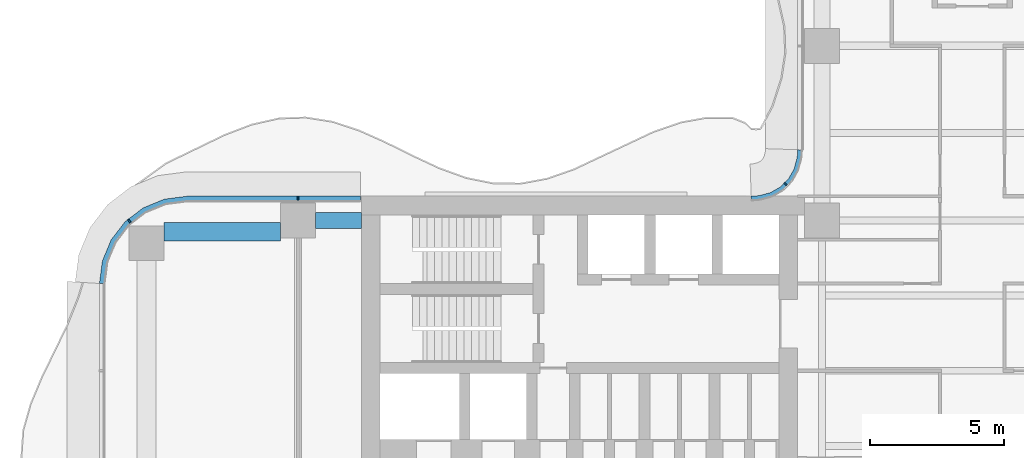
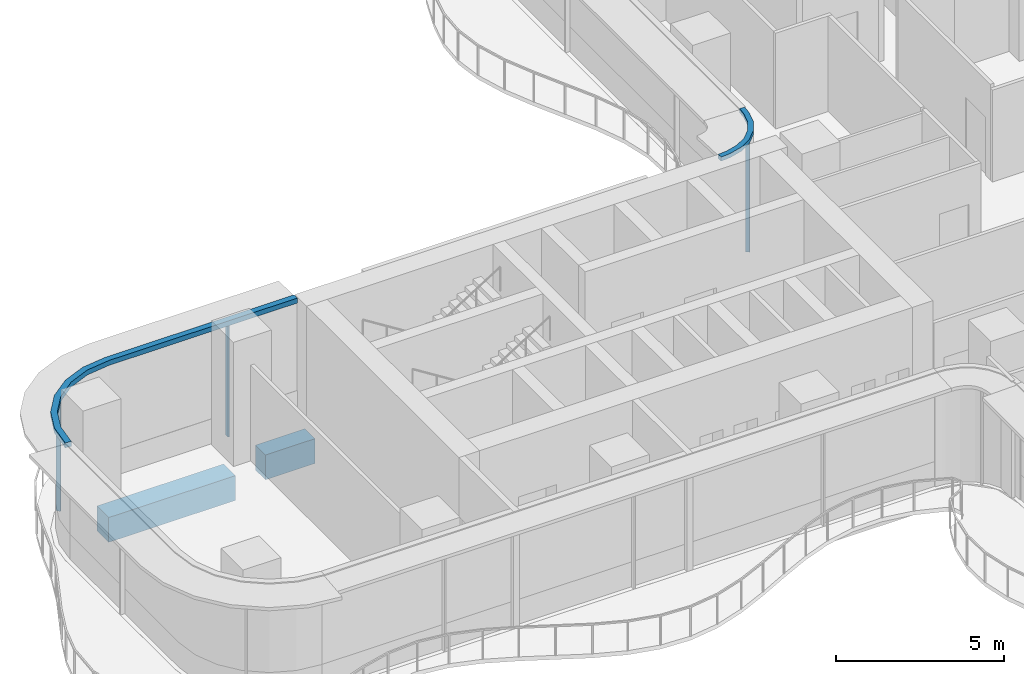
# One storey, part 8 of 21: 5 members, 2 beams, 2 elements without a shape of their own.
"""IFC4 building model written with IfcOpenShell, lengths in metres."""

from ifc_helpers import new_model, si_unit, direction, frame, origin, origin_2d, place, context, subcontext, project, spatial, polyline, rectangle, outline, extrude, source, transform, mapped, material, layer, layer_set, material_profile, profile_set, type_object, element, aggregate, save


model = new_model("IFC4")

# Units and contexts
model_context = context("Model", 3, precision=1e-05, world=origin(), true_north=direction((0.0, 1.0)))
body_context = subcontext(model_context, "Body", "Model", "MODEL_VIEW")
ifc_project = project(units=[si_unit("LENGTHUNIT", "METRE"), si_unit("AREAUNIT", "SQUARE_METRE"), si_unit("VOLUMEUNIT", "CUBIC_METRE"), si_unit("PLANEANGLEUNIT", "RADIAN"), si_unit("MASSUNIT", "GRAM", prefix="KILO")], contexts=[model_context])

# Site, building, storey
site_placement = place(None, origin())
site = spatial("IfcSite", under=ifc_project, at=site_placement, CompositionType="ELEMENT")
building_placement = place(site_placement, origin())
building = spatial("IfcBuilding", under=site, at=building_placement, Name="Trellis Farm Tower", CompositionType="ELEMENT")
storey_placement = place(building_placement, frame((0.0, 0.0, 115.5)))
storey = spatial("IfcBuildingStorey", under=building, at=storey_placement, Name="L24", CompositionType="ELEMENT", Elevation=115.5)

# Beams
ifc_material_1 = material(Name="Concrete C60/75", Category="concrete")
ifc_material_profile_1 = material_profile(ifc_material_1, rectangle(XDim=0.60009765625, YDim=0.89990234375, at=origin_2d()), Name="RC spandrel beam 600x900 C60/75")
ifc_profile_set_1 = profile_set([ifc_material_profile_1], Name="Concrete C60/75")
beam_type_1 = type_object("IfcBeamType", Name="RC spandrel beam 600x900 C60/75", PredefinedType="SPANDREL", material=ifc_profile_set_1)
shared_shape_1 = source(origin(), body_context, "Body", "SweptSolid", [
    extrude(rectangle(XDim=0.60009765625, YDim=0.89990234375, at=origin_2d()), origin(), (0.0, 0.0, 1.0), 1.699951171875),
])
beam_1_placement = place(storey_placement, frame((-24.449951171875, 5.60009765625, -0.699951171875), z_axis=(1.0, 0.0, 0.0), x_axis=(0.0, 1.0, 0.0)))
element("IfcBeam", 1, at=beam_1_placement, inside=storey, type_object=beam_type_1, Name="Girder", PredefinedType="SPANDREL", context=body_context, shape_type="MappedRepresentation", body=[
    mapped(shared_shape_1, transform((0.0, 0.0, 0.0))),
])
ifc_material_profile_2 = material_profile(ifc_material_1, rectangle(XDim=0.699951171875, YDim=0.89990234375, at=origin_2d()), Name="RC spandrel beam 700x900 C60/75")
ifc_profile_set_2 = profile_set([ifc_material_profile_2], Name="Concrete C60/75")
beam_type_2 = type_object("IfcBeamType", Name="RC spandrel beam 700x900 C60/75", PredefinedType="SPANDREL", material=ifc_profile_set_2)
shared_shape_2 = source(origin(), body_context, "Body", "SweptSolid", [
    extrude(rectangle(XDim=0.699951171875, YDim=0.89990234375, at=origin_2d()), origin(), (0.0, 0.0, 1.0), 4.35009765625),
])
beam_2_placement = place(storey_placement, frame((-30.10009765625, 5.175048828125, -0.699951171875), z_axis=(1.0, 0.0, 0.0), x_axis=(0.0, 1.0, 0.0)))
element("IfcBeam", 2, at=beam_2_placement, inside=storey, type_object=beam_type_2, Name="Girder", PredefinedType="SPANDREL", context=body_context, shape_type="MappedRepresentation", body=[
    mapped(shared_shape_2, transform((0.0, 0.0, 0.0))),
])

# Curtain wall, members
ifc_material_2 = material(Name="Aluminium and glass curtain wall", Category="aluminium")
ifc_layer_1 = layer(ifc_material_2, 0.18994140625)
ifc_layer_set_1 = layer_set([ifc_layer_1], Name="RIBBON CURTAIN WALL CW1")
curtain_wall_type_1 = type_object("IfcCurtainWallType", Name="RIBBON CURTAIN WALL CW1", PredefinedType="NOTDEFINED", material=ifc_layer_set_1)
placement = place(storey_placement, origin())
curtain_wall_1 = element("IfcCurtainWall", 3, at=placement, inside=storey, type_object=curtain_wall_type_1, Name="CW1 012", PredefinedType="NOTDEFINED")
ifc_material_3 = material(Name="Aluminium extrusion 6063-T6", Category="aluminium")
ifc_material_profile_3 = material_profile(ifc_material_3, rectangle(XDim=0.06005859375, YDim=0.14990234375, at=origin_2d()), Name="MULLION 60x150")
ifc_profile_set_3 = profile_set([ifc_material_profile_3], Name="Aluminium extrusion 6063-T6")
member_type_1 = type_object("IfcMemberType", Name="CW1 MULLION 60x150", PredefinedType="MULLION", material=ifc_profile_set_3)
shared_shape_3 = source(origin(), body_context, "Body", "SweptSolid", [
    extrude(rectangle(XDim=0.06005859375, YDim=0.14990234375, at=origin_2d()), origin(), (0.0, 0.0, 1.0), 4.070068359375),
])
member_1_placement = place(storey_placement, frame((-25.10009765625, 6.425048828125, 0.0), z_axis=(0.0, 0.0, 1.0), x_axis=(-1.0, 0.0, 0.0)))
member_1 = element("IfcMember", 4, at=member_1_placement, type_object=member_type_1, Name="MU1 012-01", PredefinedType="MULLION", context=body_context, shape_type="MappedRepresentation", body=[
    mapped(shared_shape_3, transform((0.0, 0.0, 0.0))),
])
member_2_placement = place(storey_placement, frame((-31.385498046875, 5.578369140625, 0.0), z_axis=(0.0, 0.0, 1.0), x_axis=(-0.793353340291, -0.608761429009, 0.0)))
member_2 = element("IfcMember", 5, at=member_2_placement, type_object=member_type_1, Name="MU1 012-02", PredefinedType="MULLION", context=body_context, shape_type="MappedRepresentation", body=[
    mapped(shared_shape_3, transform((0.0, 0.0, 0.0))),
])

ifc_layer_2 = layer(ifc_material_2, 0.166015625)
ifc_layer_set_2 = layer_set([ifc_layer_2], Name="WINTER GARDEN CURTAIN WALL CW3")
curtain_wall_type_2 = type_object("IfcCurtainWallType", Name="WINTER GARDEN CURTAIN WALL CW3", PredefinedType="NOTDEFINED", material=ifc_layer_set_2)
curtain_wall_2 = element("IfcCurtainWall", 6, at=placement, inside=storey, type_object=curtain_wall_type_2, Name="CW3 004", PredefinedType="NOTDEFINED")
ifc_material_profile_4 = material_profile(ifc_material_3, rectangle(XDim=0.050048828125, YDim=0.1201171875, at=origin_2d()), Name="MULLION 50x120")
ifc_profile_set_4 = profile_set([ifc_material_profile_4], Name="Aluminium extrusion 6063-T6")
member_type_2 = type_object("IfcMemberType", Name="CW3 MULLION 50x120", PredefinedType="MULLION", material=ifc_profile_set_4)
shared_shape_4 = source(origin(), body_context, "Body", "SweptSolid", [
    extrude(rectangle(XDim=0.050048828125, YDim=0.1201171875, at=origin_2d()), origin(), (0.0, 0.0, 1.0), 4.10009765625),
])
member_3_placement = place(storey_placement, frame((-6.953125, 6.953125, 0.0), z_axis=(0.0, 0.0, 1.0), x_axis=(-0.707106781187, -0.707106781187, 0.0)))
member_3 = element("IfcMember", 7, at=member_3_placement, type_object=member_type_2, Name="MU3 004-01", PredefinedType="MULLION", context=body_context, shape_type="MappedRepresentation", body=[
    mapped(shared_shape_4, transform((0.0, 0.0, 0.0))),
])
ifc_layer_3 = layer(ifc_material_3, 0.169921875)
ifc_layer_set_3 = layer_set([ifc_layer_3], Name="Aluminium extrusion 6063-T6")
member_type_3 = type_object("IfcMemberType", Name="CW3 TRANSOM 170x150", PredefinedType="USERDEFINED", material=ifc_layer_set_3)
shared_shape_5 = source(origin(), body_context, "Body", "SweptSolid", [
    extrude(outline(polyline([(-6.5, 8.2314453125), (-6.513916015625, 8.01953125), (-6.527587890625, 7.91552734375), (-6.63671875, 7.508544921875), (-6.846923828125, 7.144287109375), (-7.144287109375, 6.846923828125), (-7.508544921875, 6.63671875), (-7.91552734375, 6.527587890625), (-8.01953125, 6.513916015625), (-8.2314453125, 6.5), (-8.225830078125, 6.330078125), (-8.0029296875, 6.3447265625), (-7.88232421875, 6.360595703125), (-7.44287109375, 6.478271484375), (-7.0400390625, 6.7109375), (-6.7109375, 7.0400390625), (-6.478271484375, 7.44287109375), (-6.360595703125, 7.88232421875), (-6.3447265625, 8.0029296875), (-6.330078125, 8.225830078125), (-6.5, 8.2314453125)])), origin(), (0.0, 0.0, 1.0), 0.14990234375),
])
member_4_placement = place(storey_placement, frame((0.0, 0.0, 4.10009765625)))
member_4 = element("IfcMember", 8, at=member_4_placement, type_object=member_type_3, Name="TR3 004", ObjectType="TRANSOM", PredefinedType="USERDEFINED", context=body_context, shape_type="MappedRepresentation", body=[
    mapped(shared_shape_5, transform((0.0, 0.0, 0.0))),
])
aggregate(curtain_wall_2, [member_3, member_4])

# Member
ifc_layer_4 = layer(ifc_material_3, 0.199951171875)
ifc_layer_set_4 = layer_set([ifc_layer_4], Name="Aluminium extrusion 6063-T6")
member_type_4 = type_object("IfcMemberType", Name="CW1 TRANSOM 200x180", PredefinedType="USERDEFINED", material=ifc_layer_set_4)
shared_shape_6 = source(origin(), body_context, "Body", "SweptSolid", [
    extrude(outline(polyline([(-22.780029296875, 6.5), (-29.25, 6.5), (-30.091064453125, 6.38916015625), (-30.875, 6.064697265625), (-31.548095703125, 5.548095703125), (-32.064697265625, 4.875), (-32.38916015625, 4.091064453125), (-32.5, 3.25), (-32.300048828125, 3.23681640625), (-32.1943359375, 4.0390625), (-31.889892578125, 4.774169921875), (-31.405517578125, 5.405517578125), (-30.774169921875, 5.889892578125), (-30.0390625, 6.1943359375), (-29.23681640625, 6.300048828125), (-22.780029296875, 6.300048828125), (-22.780029296875, 6.5)])), origin(), (0.0, 0.0, 1.0), 0.179931640625),
])
member_5_placement = place(storey_placement, frame((0.0, 0.0, 4.070068359375)))
member_5 = element("IfcMember", 9, at=member_5_placement, type_object=member_type_4, Name="TR1 012", ObjectType="TRANSOM", PredefinedType="USERDEFINED", context=body_context, shape_type="MappedRepresentation", body=[
    mapped(shared_shape_6, transform((0.0, 0.0, 0.0))),
])

aggregate(curtain_wall_1, [member_1, member_2, member_5])

save(model, "model.ifc")
